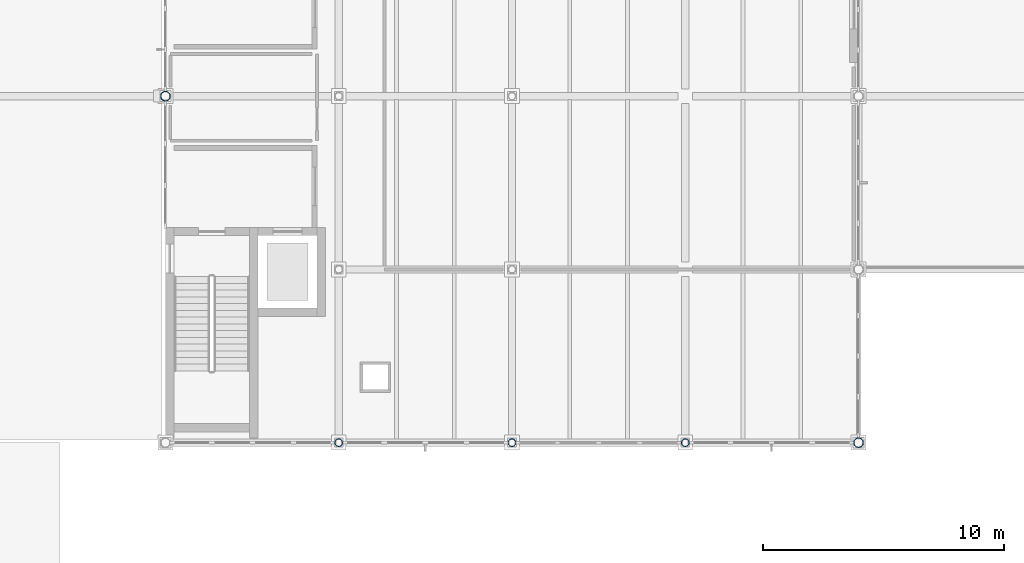
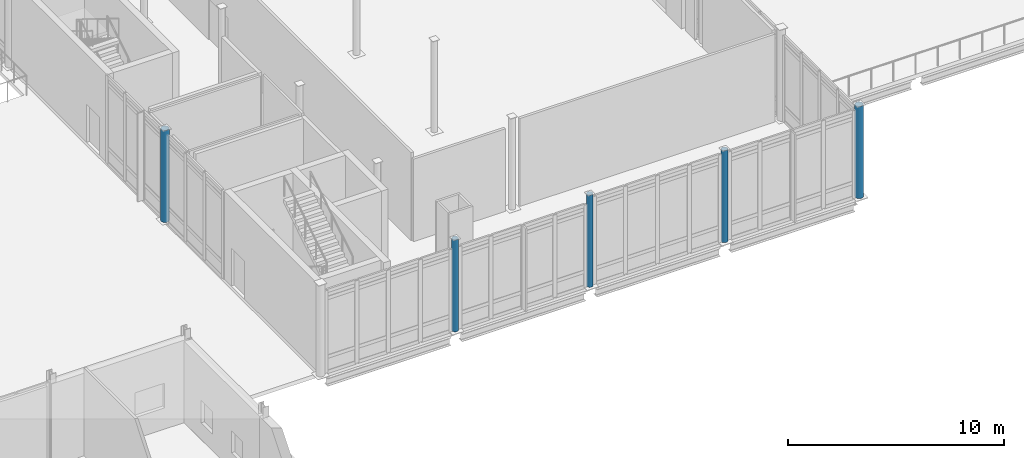
# One storey, part 5 of 89: 5 columns.
"""IFC4 building model written with IfcOpenShell, lengths in metres."""

from ifc_helpers import new_model, si_unit, direction, frame, origin, origin_2d, place, context, subcontext, project, spatial, hollow_circle, extrude, material, material_profile, profile_set, type_object, element, save


model = new_model("IFC4")

# Units and contexts
model_context = context("Model", 3, precision=1e-05, world=origin(), true_north=direction((0.0, 1.0)))
body_context = subcontext(model_context, "Body", "Model", "MODEL_VIEW")
ifc_project = project(units=[si_unit("LENGTHUNIT", "METRE"), si_unit("AREAUNIT", "SQUARE_METRE"), si_unit("VOLUMEUNIT", "CUBIC_METRE"), si_unit("PLANEANGLEUNIT", "RADIAN"), si_unit("MASSUNIT", "GRAM", prefix="KILO")], contexts=[model_context])

# Site, building, storey
site_placement = place(None, origin())
site = spatial("IfcSite", under=ifc_project, at=site_placement, CompositionType="ELEMENT")
building_placement = place(site_placement, origin())
building = spatial("IfcBuilding", under=site, at=building_placement, Name="Zarrinpeak Specialist Clinic", CompositionType="ELEMENT")
storey_placement = place(building_placement, origin())
storey = spatial("IfcBuildingStorey", under=building, at=storey_placement, Name="L00", CompositionType="ELEMENT", Elevation=0.0)

# Columns
ifc_material = material(Name="Steel S355", Category="steel")
ifc_material_profile_1 = material_profile(ifc_material, hollow_circle(Radius=0.161865234375, WallThickness=0.012451171875, at=origin_2d()), Name="CHS 323.9x12.5")
ifc_profile_set_1 = profile_set([ifc_material_profile_1], Name="Steel S355")
column_type_1 = type_object("IfcColumnType", Name="COL-CHS324", PredefinedType="COLUMN", material=ifc_profile_set_1)
for number, where, z_axis, x_axis, name in (
    (1, (100.800048828125, 28.800048828125, 0.0), (0.0, 0.0, 1.0), (1.0, 0.0, 0.0), "L00 Structural Column COL-L00-143"),
    (2, (108.0, 28.800048828125, 0.0), (0.0, 0.0, 1.0), (1.0, 0.0, 0.0), "L00 Structural Column COL-L00-150"),
    (3, (115.199951171875, 28.800048828125, 0.0), (0.0, 0.0, 1.0), (1.0, 0.0, 0.0), "L00 Structural Column COL-L00-157"),
):
    element("IfcColumn", number, at=place(storey_placement, frame(where, z_axis=z_axis, x_axis=x_axis)), inside=storey, type_object=column_type_1, Name=name, PredefinedType="COLUMN", context=body_context, shape_type="SweptSolid", body=[
        extrude(hollow_circle(Radius=0.161865234375, WallThickness=0.012451171875, at=origin_2d()), origin(), (0.0, 0.0, 1.0), 5.199951171875),
    ])
ifc_material_profile_2 = material_profile(ifc_material, hollow_circle(Radius=0.203125, WallThickness=0.01611328125, at=origin_2d()), Name="CHS 406.4x16.0")
ifc_profile_set_2 = profile_set([ifc_material_profile_2], Name="Steel S355")
column_type_2 = type_object("IfcColumnType", Name="COL-CHS406", PredefinedType="COLUMN", material=ifc_profile_set_2)
for number, where, z_axis, x_axis, name in (
    (4, (93.60009765625, 43.199951171875, 0.0), (0.0, 0.0, 1.0), (1.0, 0.0, 0.0), "L00 Structural Column COL-L00-139"),
    (5, (122.39990234375, 28.800048828125, 0.0), (0.0, 0.0, 1.0), (1.0, 0.0, 0.0), "L00 Structural Column COL-L00-159"),
):
    element("IfcColumn", number, at=place(storey_placement, frame(where, z_axis=z_axis, x_axis=x_axis)), inside=storey, type_object=column_type_2, Name=name, PredefinedType="COLUMN", context=body_context, shape_type="SweptSolid", body=[
        extrude(hollow_circle(Radius=0.203125, WallThickness=0.01611328125, at=origin_2d()), origin(), (0.0, 0.0, 1.0), 5.199951171875),
    ])

save(model, "model.ifc")
